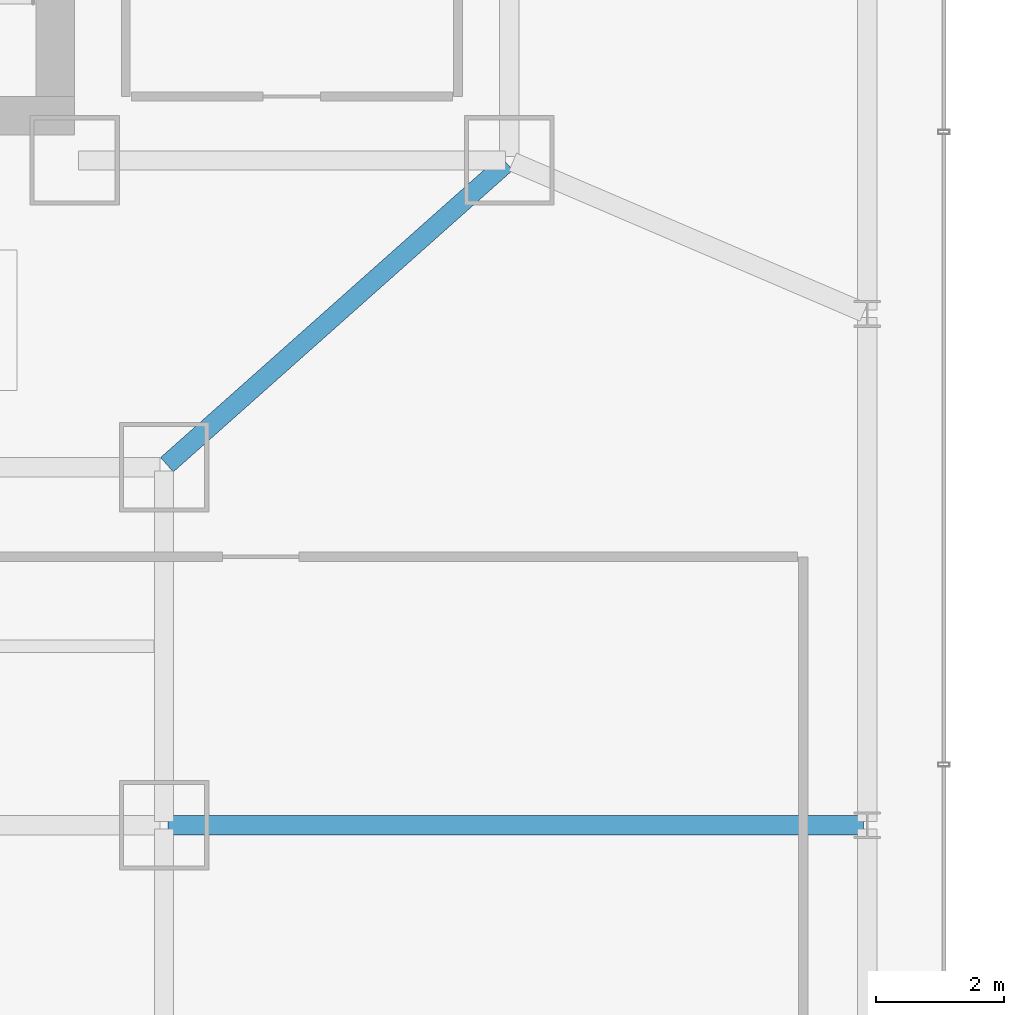
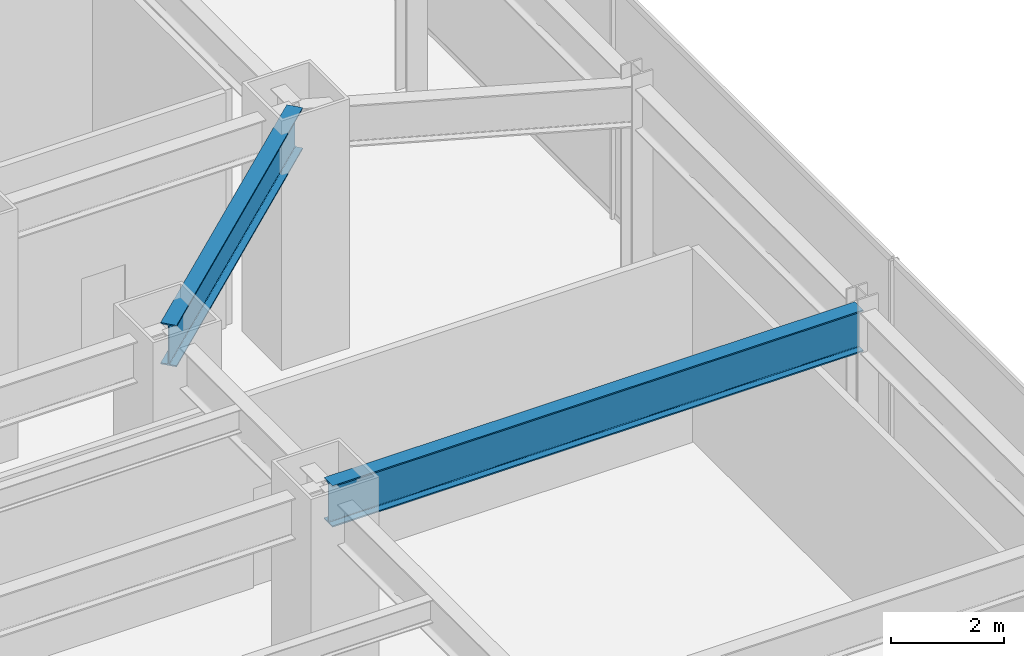
# One storey, part 27 of 51: 2 beams.
"""IFC4 building model written with IfcOpenShell, lengths in metres."""

from ifc_helpers import new_model, si_unit, direction, frame, origin, origin_2d, place, context, subcontext, project, spatial, i_section, extrude, material, material_profile, profile_set, type_object, element, save


model = new_model("IFC4")

# Units and contexts
model_context = context("Model", 3, precision=1e-05, world=origin(), true_north=direction((0.0, 1.0)))
body_context = subcontext(model_context, "Body", "Model", "MODEL_VIEW")
ifc_project = project(units=[si_unit("LENGTHUNIT", "METRE"), si_unit("AREAUNIT", "SQUARE_METRE"), si_unit("VOLUMEUNIT", "CUBIC_METRE"), si_unit("PLANEANGLEUNIT", "RADIAN"), si_unit("MASSUNIT", "GRAM", prefix="KILO")], contexts=[model_context])

# Site, building, storey
site_placement = place(None, origin())
site = spatial("IfcSite", under=ifc_project, at=site_placement, CompositionType="ELEMENT")
building_placement = place(site_placement, origin())
building = spatial("IfcBuilding", under=site, at=building_placement, Name="Saevonmaru Cultural Tower", CompositionType="ELEMENT")
storey_placement = place(building_placement, frame((0.0, 0.0, 6.0)))
storey = spatial("IfcBuildingStorey", under=building, at=storey_placement, Name="L01", CompositionType="ELEMENT", Elevation=6.0)

# Beams
ifc_material = material(Name="Steel SM420", Category="steel")
ifc_material_profile = material_profile(ifc_material, i_section(OverallWidth=0.300048828125, OverallDepth=0.89990234375, WebThickness=0.01611328125, FlangeThickness=0.028076171875, FilletRadius=0.028076171875, at=origin_2d()), Name="H-900x300x16x28")
ifc_profile_set = profile_set([ifc_material_profile], Name="Steel SM420")
beam_type = type_object("IfcBeamType", Name="BM-G-H900", PredefinedType="BEAM", material=ifc_profile_set)
beam_1_placement = place(storey_placement, frame((47.8447265625, 37.639892578125, 4.64990234375), z_axis=(0.74742827637, 0.664342510819, 0.0), x_axis=(-0.664342510819, 0.74742827637, 0.0)))
element("IfcBeam", 1, at=beam_1_placement, inside=storey, type_object=beam_type, Name="L01 Podium Girder NS4-6", PredefinedType="BEAM", context=body_context, shape_type="SweptSolid", body=[
    extrude(i_section(OverallWidth=0.300048828125, OverallDepth=0.89990234375, WebThickness=0.01611328125, FlangeThickness=0.028076171875, FilletRadius=0.028076171875, at=origin_2d()), origin(), (0.0, 0.0, 1.0), 7.10498046875),
])
beam_2_placement = place(storey_placement, frame((47.860107421875, 32.0, 4.64990234375), z_axis=(1.0, 0.0, 0.0), x_axis=(0.0, 1.0, 0.0)))
element("IfcBeam", 2, at=beam_2_placement, inside=storey, type_object=beam_type, Name="BM-POD-OE-4-L01", PredefinedType="BEAM", context=body_context, shape_type="SweptSolid", body=[
    extrude(i_section(OverallWidth=0.300048828125, OverallDepth=0.89990234375, WebThickness=0.01611328125, FlangeThickness=0.028076171875, FilletRadius=0.028076171875, at=origin_2d()), origin(), (0.0, 0.0, 1.0), 10.8798828125),
])

save(model, "model.ifc")
